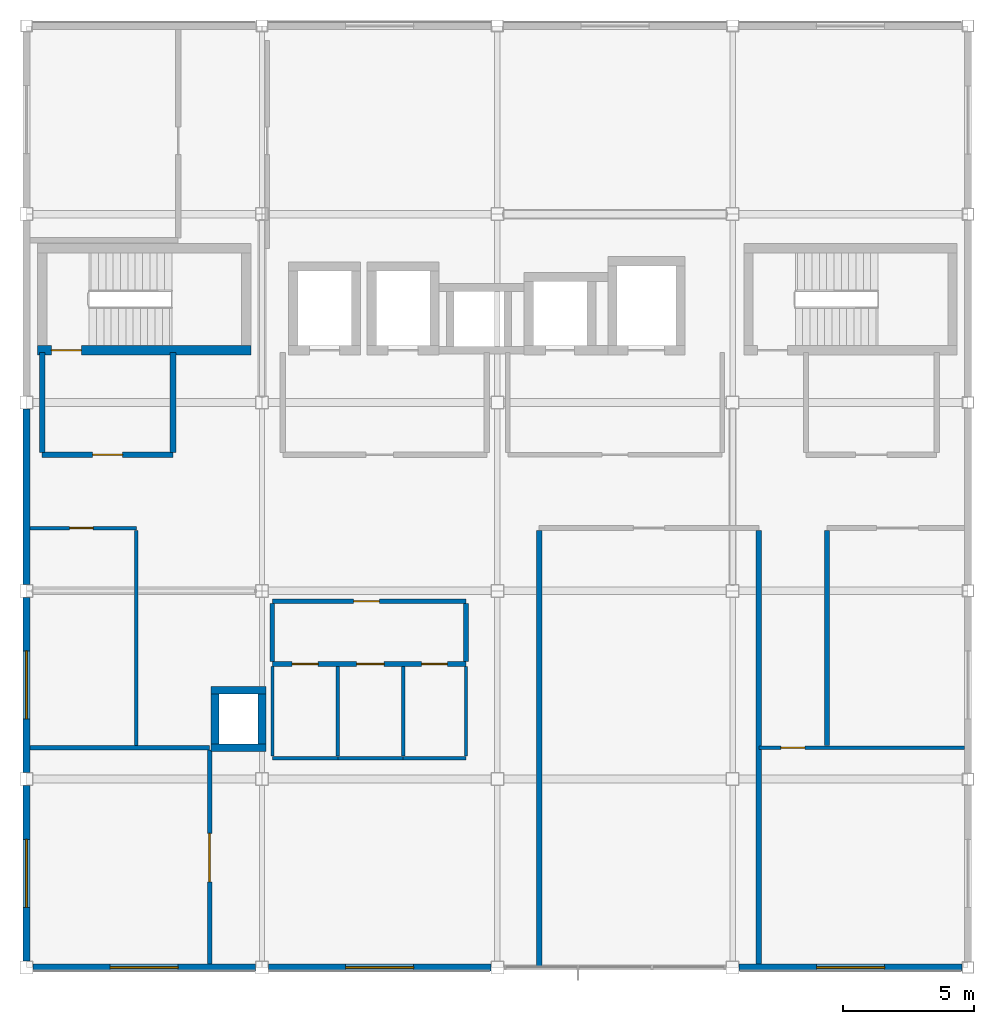
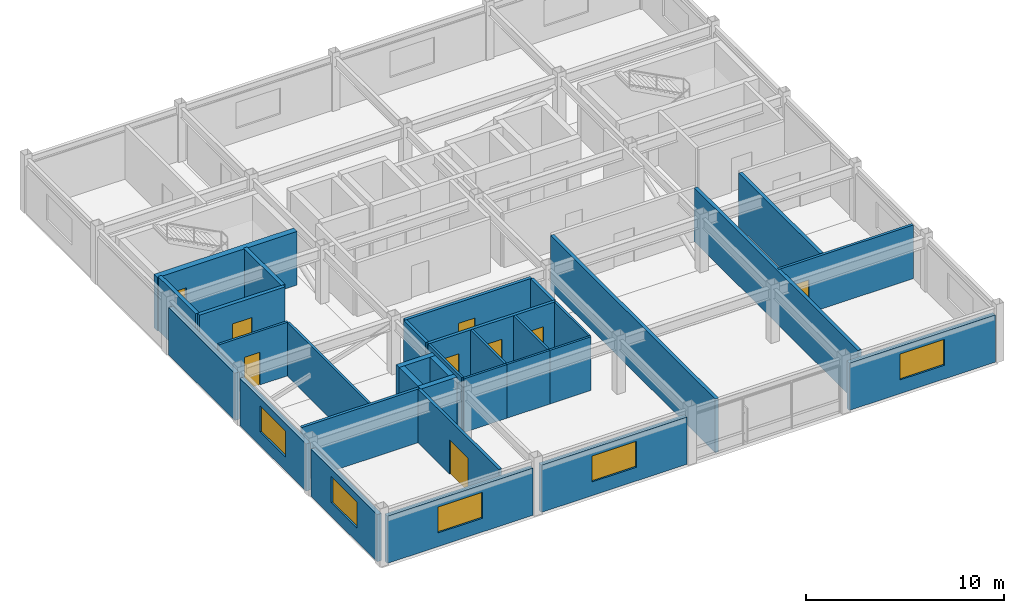
# One storey, part 4 of 7: 33 walls, 9 doors, 5 windows, 14 openings.
"""IFC4 building model written with IfcOpenShell, lengths in metres."""

from ifc_helpers import new_model, si_unit, direction, frame, frame_2d, origin, place, context, subcontext, project, spatial, rectangle, extrude, material, layer, layer_set, type_object, element, fill, save


model = new_model("IFC4")

# Units and contexts
model_context = context("Model", 3, precision=1e-05, world=origin(), true_north=direction((0.0, 1.0)))
body_context = subcontext(model_context, "Body", "Model", "MODEL_VIEW")
ifc_project = project(units=[si_unit("LENGTHUNIT", "METRE"), si_unit("AREAUNIT", "SQUARE_METRE"), si_unit("VOLUMEUNIT", "CUBIC_METRE"), si_unit("PLANEANGLEUNIT", "RADIAN"), si_unit("MASSUNIT", "GRAM", prefix="KILO")], contexts=[model_context])

# Site, building, storey
site_placement = place(None, origin())
site = spatial("IfcSite", under=ifc_project, at=site_placement, CompositionType="ELEMENT")
building_placement = place(site_placement, origin())
building = spatial("IfcBuilding", under=site, at=building_placement, Name="Kazanami Central Library", CompositionType="ELEMENT")
storey_placement = place(building_placement, frame((0.0, 0.0, 27.800048828125)))
storey = spatial("IfcBuildingStorey", under=building, at=storey_placement, Name="L08", CompositionType="ELEMENT", Elevation=27.800048828125)

# Wall, opening, window
ifc_material_1 = material(Name="Concrete Fc36 (36 MPa)", Category="concrete")
ifc_layer_1 = layer(ifc_material_1, 0.179931640625, Name="Concrete Fc36 (36 MPa)")
ifc_material_2 = material(Name="Extruded Polystyrene XPS", Category="earth")
ifc_layer_2 = layer(ifc_material_2, 0.050048828125, Name="Extruded Polystyrene XPS")
ifc_material_3 = material(Name="Honed Inada Granite", Category="masonry")
ifc_layer_3 = layer(ifc_material_3, 0.030029296875, Name="Honed Inada Granite")
ifc_layer_set_1 = layer_set([ifc_layer_1, ifc_layer_2, ifc_layer_3], Name="Concrete Fc36 (36 MPa)")
wall_type_1 = type_object("IfcWallType", Name="WAL-EW-260", PredefinedType="STANDARD", material=ifc_layer_set_1)
wall_1_placement = place(storey_placement, frame((126.25, 57.60009765625, 0.0), z_axis=(0.0, 0.0, 1.0), x_axis=(1.0, 0.0, 0.0)))
wall_1 = element("IfcWall", 1, at=wall_1_placement, inside=storey, type_object=wall_type_1, Name="Exterior Facade Wall EW-260 L08 S-J-14", PredefinedType="STANDARD", context=body_context, shape_type="SweptSolid", body=[
    extrude(rectangle(XDim=8.5, YDim=0.260009765625, at=frame_2d((4.25, 0.0))), origin(), (0.0, 0.0, 1.0), 2.9150390625),
])
opening_1_placement = place(wall_1_placement, frame((2.949951171875, 0.0, 0.85009765625)))
opening_1 = element("IfcOpeningElement", 2, at=opening_1_placement, cuts=wall_1, Name="Opening WN-13", PredefinedType="OPENING", context=body_context, shape_type="SweptSolid", body=[
    extrude(rectangle(XDim=2.60009765625, YDim=1.60009765625, at=frame_2d((1.300048828125, 0.800048828125))), frame((0.0, 0.14208984375, 0.0), z_axis=(0.0, -1.0, 0.0), x_axis=(1.0, 0.0, 0.0)), (0.0, 0.0, 1.0), 0.283935546875),
])
ifc_material_4 = material(Name="Low-E Insulated Triple Glass", Category="glass")
window_type = type_object("IfcWindowType", Name="WIN-WN-13", PartitioningType="DOUBLE_PANEL_VERTICAL", PredefinedType="WINDOW", material=ifc_material_4)
window_1_placement = place(opening_1_placement, origin())
window_1 = element("IfcWindow", 3, at=window_1_placement, inside=storey, type_object=window_type, Name="Facade Window WN-13 L08 S-J-14", OverallHeight=1.60009765625, OverallWidth=2.60009765625, PartitioningType="DOUBLE_PANEL_VERTICAL", PredefinedType="WINDOW", context=body_context, shape_type="SweptSolid", body=[
    extrude(rectangle(XDim=2.60009765625, YDim=1.60009765625, at=frame_2d((1.300048828125, 0.800048828125))), frame((0.0, 0.030029296875, 0.0), z_axis=(0.0, -1.0, 0.0), x_axis=(1.0, 0.0, 0.0)), (0.0, 0.0, 1.0), 0.06005859375),
])
fill(opening_1, window_1)

wall_2_placement = place(storey_placement, frame((135.25, 57.60009765625, 0.0), z_axis=(0.0, 0.0, 1.0), x_axis=(1.0, 0.0, 0.0)))
wall_2 = element("IfcWall", 4, at=wall_2_placement, inside=storey, type_object=wall_type_1, Name="Exterior Facade Wall EW-260 L08 S-J-15", PredefinedType="STANDARD", context=body_context, shape_type="SweptSolid", body=[
    extrude(rectangle(XDim=8.5, YDim=0.260009765625, at=frame_2d((4.25, 0.0))), origin(), (0.0, 0.0, 1.0), 2.9150390625),
])
opening_2_placement = place(wall_2_placement, frame((2.949951171875, 0.0, 0.85009765625)))
opening_2 = element("IfcOpeningElement", 5, at=opening_2_placement, cuts=wall_2, Name="Opening WN-13", PredefinedType="OPENING", context=body_context, shape_type="SweptSolid", body=[
    extrude(rectangle(XDim=2.60009765625, YDim=1.60009765625, at=frame_2d((1.300048828125, 0.800048828125))), frame((0.0, 0.14208984375, 0.0), z_axis=(0.0, -1.0, 0.0), x_axis=(1.0, 0.0, 0.0)), (0.0, 0.0, 1.0), 0.283935546875),
])
window_2_placement = place(opening_2_placement, origin())
window_2 = element("IfcWindow", 6, at=window_2_placement, inside=storey, type_object=window_type, Name="Facade Window WN-13 L08 S-J-15", OverallHeight=1.60009765625, OverallWidth=2.60009765625, PartitioningType="DOUBLE_PANEL_VERTICAL", PredefinedType="WINDOW", context=body_context, shape_type="SweptSolid", body=[
    extrude(rectangle(XDim=2.60009765625, YDim=1.60009765625, at=frame_2d((1.300048828125, 0.800048828125))), frame((0.0, 0.030029296875, 0.0), z_axis=(0.0, -1.0, 0.0), x_axis=(1.0, 0.0, 0.0)), (0.0, 0.0, 1.0), 0.06005859375),
])
fill(opening_2, window_2)

wall_3_placement = place(storey_placement, frame((153.25, 57.60009765625, 0.0), z_axis=(0.0, 0.0, 1.0), x_axis=(1.0, 0.0, 0.0)))
wall_3 = element("IfcWall", 7, at=wall_3_placement, inside=storey, type_object=wall_type_1, Name="Exterior Facade Wall EW-260 L08 S-J-17", PredefinedType="STANDARD", context=body_context, shape_type="SweptSolid", body=[
    extrude(rectangle(XDim=8.52490234375, YDim=0.260009765625, at=frame_2d((4.262451171875, 0.0))), origin(), (0.0, 0.0, 1.0), 2.9150390625),
])
opening_3_placement = place(wall_3_placement, frame((2.96240234375, 0.0, 0.85009765625)))
opening_3 = element("IfcOpeningElement", 8, at=opening_3_placement, cuts=wall_3, Name="Opening WN-13", PredefinedType="OPENING", context=body_context, shape_type="SweptSolid", body=[
    extrude(rectangle(XDim=2.60009765625, YDim=1.60009765625, at=frame_2d((1.300048828125, 0.800048828125))), frame((0.0, 0.14208984375, 0.0), z_axis=(0.0, -1.0, 0.0), x_axis=(1.0, 0.0, 0.0)), (0.0, 0.0, 1.0), 0.283935546875),
])
window_3_placement = place(opening_3_placement, origin())
window_3 = element("IfcWindow", 9, at=window_3_placement, inside=storey, type_object=window_type, Name="Facade Window WN-13 L08 S-J-17", OverallHeight=1.60009765625, OverallWidth=2.60009765625, PartitioningType="DOUBLE_PANEL_VERTICAL", PredefinedType="WINDOW", context=body_context, shape_type="SweptSolid", body=[
    extrude(rectangle(XDim=2.60009765625, YDim=1.60009765625, at=frame_2d((1.300048828125, 0.800048828125))), frame((0.0, 0.030029296875, 0.0), z_axis=(0.0, -1.0, 0.0), x_axis=(1.0, 0.0, 0.0)), (0.0, 0.0, 1.0), 0.06005859375),
])
fill(opening_3, window_3)

wall_4_placement = place(storey_placement, frame((126.0, 57.85009765625, 0.0), z_axis=(0.0, 0.0, 1.0), x_axis=(0.0, 1.0, 0.0)))
wall_4 = element("IfcWall", 10, at=wall_4_placement, inside=storey, type_object=wall_type_1, Name="Exterior Facade Wall EW-260 L08 W-15-08", PredefinedType="STANDARD", context=body_context, shape_type="SweptSolid", body=[
    extrude(rectangle(XDim=6.699951171875, YDim=0.260009765625, at=frame_2d((3.35009765625, 0.0))), origin(), (0.0, 0.0, 1.0), 2.9150390625),
])
opening_4_placement = place(wall_4_placement, frame((2.050048828125, 0.0, 0.85009765625)))
opening_4 = element("IfcOpeningElement", 11, at=opening_4_placement, cuts=wall_4, Name="Opening WN-13", PredefinedType="OPENING", context=body_context, shape_type="SweptSolid", body=[
    extrude(rectangle(XDim=2.60009765625, YDim=1.60009765625, at=frame_2d((1.300048828125, 0.800048828125))), frame((0.0, 0.14208984375, 0.0), z_axis=(0.0, -1.0, 0.0), x_axis=(1.0, 0.0, 0.0)), (0.0, 0.0, 1.0), 0.283935546875),
])
window_4_placement = place(opening_4_placement, origin())
window_4 = element("IfcWindow", 12, at=window_4_placement, inside=storey, type_object=window_type, Name="Facade Window WN-13 L08 W-15-08", OverallHeight=1.60009765625, OverallWidth=2.60009765625, PartitioningType="DOUBLE_PANEL_VERTICAL", PredefinedType="WINDOW", context=body_context, shape_type="SweptSolid", body=[
    extrude(rectangle(XDim=2.60009765625, YDim=1.60009765625, at=frame_2d((1.300048828125, 0.800048828125))), frame((0.0, 0.030029296875, 0.0), z_axis=(0.0, -1.0, 0.0), x_axis=(1.0, 0.0, 0.0)), (0.0, 0.0, 1.0), 0.06005859375),
])
fill(opening_4, window_4)

wall_5_placement = place(storey_placement, frame((126.0, 65.050048828125, 0.0), z_axis=(0.0, 0.0, 1.0), x_axis=(0.0, 1.0, 0.0)))
wall_5 = element("IfcWall", 13, at=wall_5_placement, inside=storey, type_object=wall_type_1, Name="Exterior Facade Wall EW-260 L08 W-15-09", PredefinedType="STANDARD", context=body_context, shape_type="SweptSolid", body=[
    extrude(rectangle(XDim=6.699951171875, YDim=0.260009765625, at=frame_2d((3.35009765625, 0.0))), origin(), (0.0, 0.0, 1.0), 2.9150390625),
])
opening_5_placement = place(wall_5_placement, frame((2.050048828125, 0.0, 0.85009765625)))
opening_5 = element("IfcOpeningElement", 14, at=opening_5_placement, cuts=wall_5, Name="Opening WN-13", PredefinedType="OPENING", context=body_context, shape_type="SweptSolid", body=[
    extrude(rectangle(XDim=2.60009765625, YDim=1.60009765625, at=frame_2d((1.300048828125, 0.800048828125))), frame((0.0, 0.14208984375, 0.0), z_axis=(0.0, -1.0, 0.0), x_axis=(1.0, 0.0, 0.0)), (0.0, 0.0, 1.0), 0.283935546875),
])
window_5_placement = place(opening_5_placement, origin())
window_5 = element("IfcWindow", 15, at=window_5_placement, inside=storey, type_object=window_type, Name="Facade Window WN-13 L08 W-15-09", OverallHeight=1.60009765625, OverallWidth=2.60009765625, PartitioningType="DOUBLE_PANEL_VERTICAL", PredefinedType="WINDOW", context=body_context, shape_type="SweptSolid", body=[
    extrude(rectangle(XDim=2.60009765625, YDim=1.60009765625, at=frame_2d((1.300048828125, 0.800048828125))), frame((0.0, 0.030029296875, 0.0), z_axis=(0.0, -1.0, 0.0), x_axis=(1.0, 0.0, 0.0)), (0.0, 0.0, 1.0), 0.06005859375),
])
fill(opening_5, window_5)

# Walls
wall_6_placement = place(storey_placement, frame((126.0, 72.25, 0.0), z_axis=(0.0, 0.0, 1.0), x_axis=(0.0, 1.0, 0.0)))
element("IfcWall", 16, at=wall_6_placement, inside=storey, type_object=wall_type_1, Name="Exterior Facade Wall EW-260 L08 W-15-10", PredefinedType="STANDARD", context=body_context, shape_type="SweptSolid", body=[
    extrude(rectangle(XDim=6.699951171875, YDim=0.260009765625, at=frame_2d((3.35009765625, 0.0))), origin(), (0.0, 0.0, 1.0), 2.9150390625),
])
ifc_material_5 = material(Name="Fire-Resistant Gypsum Board GB-F", Category="gypsum")
ifc_layer_4 = layer(ifc_material_5, 0.1650390625, Name="Fire-Resistant Gypsum Board GB-F")
ifc_layer_set_2 = layer_set([ifc_layer_4], Name="Fire-Resistant Gypsum Board GB-F")
wall_type_2 = type_object("IfcWallType", Name="WAL-FW-165", PredefinedType="PARTITIONING", material=ifc_layer_set_2)
wall_7_placement = place(storey_placement, frame((126.135009765625, 66.0, 0.0), z_axis=(0.0, 0.0, 1.0), x_axis=(1.0, 0.0, 0.0)))
element("IfcWall", 17, at=wall_7_placement, inside=storey, type_object=wall_type_2, Name="Interior Partition FW-165 L08 RM-06 (North)", PredefinedType="PARTITIONING", context=body_context, shape_type="SweptSolid", body=[
    extrude(rectangle(XDim=6.864990234375, YDim=0.1650390625, at=frame_2d((3.4326171875, 0.0))), origin(), (0.0, 0.0, 1.0), 3.31494140625),
])

# Wall, opening, door
wall_8_placement = place(storey_placement, frame((133.0, 57.735107421875, 0.0), z_axis=(0.0, 0.0, 1.0), x_axis=(0.0, 1.0, 0.0)))
wall_8 = element("IfcWall", 18, at=wall_8_placement, inside=storey, type_object=wall_type_2, Name="Interior Partition FW-165 L08 RM-06 (East)", PredefinedType="PARTITIONING", context=body_context, shape_type="SweptSolid", body=[
    extrude(rectangle(XDim=8.1748046875, YDim=0.1650390625, at=frame_2d((4.08740234375, 0.0))), origin(), (0.0, 0.0, 1.0), 3.31494140625),
])
opening_6_placement = place(wall_8_placement, frame((3.139892578125, 0.0, 0.0)))
opening_6 = element("IfcOpeningElement", 19, at=opening_6_placement, cuts=wall_8, Name="Opening FD30-5", PredefinedType="OPENING", context=body_context, shape_type="SweptSolid", body=[
    extrude(rectangle(XDim=1.85009765625, YDim=2.1201171875, at=frame_2d((0.925048828125, 1.06005859375))), frame((0.0, 0.094482421875, 0.0), z_axis=(0.0, -1.0, 0.0), x_axis=(1.0, 0.0, 0.0)), (0.0, 0.0, 1.0), 0.18896484375),
])
ifc_material_6 = material(Name="Cold-Rolled Steel SPCC", Category="steel")
door_type_1 = type_object("IfcDoorType", Name="DOR-FD30-5", OperationType="DOUBLE_DOOR_SINGLE_SWING", PredefinedType="DOOR", material=ifc_material_6)
door_1_placement = place(opening_6_placement, origin())
door_1 = element("IfcDoor", 20, at=door_1_placement, inside=storey, type_object=door_type_1, Name="Interior Door FD30-5 L08 RM-06", OperationType="DOUBLE_DOOR_SINGLE_SWING", OverallHeight=2.1201171875, OverallWidth=1.85009765625, PredefinedType="DOOR", context=body_context, shape_type="SweptSolid", body=[
    extrude(rectangle(XDim=1.85009765625, YDim=2.1201171875, at=frame_2d((0.925048828125, 1.06005859375))), frame((0.0, 0.02490234375, 0.0), z_axis=(0.0, -1.0, 0.0), x_axis=(1.0, 0.0, 0.0)), (0.0, 0.0, 1.0), 0.050048828125),
])
fill(opening_6, door_1)

# Wall, openings, doors
ifc_layer_5 = layer(ifc_material_5, 0.179931640625, Name="Fire-Resistant Gypsum Board GB-F")
ifc_layer_set_3 = layer_set([ifc_layer_5], Name="Fire-Resistant Gypsum Board GB-F")
wall_type_3 = type_object("IfcWallType", Name="WAL-FW-180", PredefinedType="PARTITIONING", material=ifc_layer_set_3)
wall_9_placement = place(storey_placement, frame((135.39990234375, 69.199951171875, 0.0), z_axis=(0.0, 0.0, 1.0), x_axis=(1.0, 0.0, 0.0)))
wall_9 = element("IfcWall", 21, at=wall_9_placement, inside=storey, type_object=wall_type_3, Name="Interior Partition FW-180 L08 WC-V2-LOB (South)", PredefinedType="PARTITIONING", context=body_context, shape_type="SweptSolid", body=[
    extrude(rectangle(XDim=7.400146484375, YDim=0.179931640625, at=frame_2d((3.7001953125, 0.0))), origin(), (0.0, 0.0, 1.0), 3.31494140625),
])
opening_7_placement = place(wall_9_placement, frame((0.75, 0.0, 0.0)))
opening_7 = element("IfcOpeningElement", 22, at=opening_7_placement, cuts=wall_9, Name="Opening FD30-2", PredefinedType="OPENING", context=body_context, shape_type="SweptSolid", body=[
    extrude(rectangle(XDim=1.0, YDim=2.080078125, at=frame_2d((0.5, 1.0400390625))), frame((0.0, 0.10205078125, 0.0), z_axis=(0.0, -1.0, 0.0), x_axis=(1.0, 0.0, 0.0)), (0.0, 0.0, 1.0), 0.203857421875),
])
opening_8_placement = place(wall_9_placement, frame((3.22509765625, 0.0, 0.0)))
opening_8 = element("IfcOpeningElement", 23, at=opening_8_placement, cuts=wall_9, Name="Opening FD30-1", PredefinedType="OPENING", context=body_context, shape_type="SweptSolid", body=[
    extrude(rectangle(XDim=1.050048828125, YDim=2.10009765625, at=frame_2d((0.52490234375, 1.050048828125))), frame((0.0, 0.10205078125, 0.0), z_axis=(0.0, -1.0, 0.0), x_axis=(1.0, 0.0, 0.0)), (0.0, 0.0, 1.0), 0.203857421875),
])
opening_9_placement = place(wall_9_placement, frame((5.7099609375, 0.0, 0.0)))
opening_9 = element("IfcOpeningElement", 24, at=opening_9_placement, cuts=wall_9, Name="Opening FD30-3", PredefinedType="OPENING", context=body_context, shape_type="SweptSolid", body=[
    extrude(rectangle(XDim=0.97998046875, YDim=2.02001953125, at=frame_2d((0.489990234375, 1.010009765625))), frame((0.0, 0.10205078125, 0.0), z_axis=(0.0, -1.0, 0.0), x_axis=(1.0, 0.0, 0.0)), (0.0, 0.0, 1.0), 0.203857421875),
])
door_type_2 = type_object("IfcDoorType", Name="DOR-FD30-1", OperationType="NOTDEFINED", PredefinedType="DOOR", material=ifc_material_6)
door_2_placement = place(opening_8_placement, origin())
door_2 = element("IfcDoor", 25, at=door_2_placement, inside=storey, type_object=door_type_2, Name="Interior Door FD30-1 L08 WC-V2-F", OperationType="SINGLE_SWING_LEFT", OverallHeight=2.10009765625, OverallWidth=1.050048828125, PredefinedType="DOOR", context=body_context, shape_type="SweptSolid", body=[
    extrude(rectangle(XDim=1.050048828125, YDim=2.10009765625, at=frame_2d((0.52490234375, 1.050048828125))), frame((0.0, 0.02490234375, 0.0), z_axis=(0.0, -1.0, 0.0), x_axis=(1.0, 0.0, 0.0)), (0.0, 0.0, 1.0), 0.050048828125),
])
fill(opening_8, door_2)
door_type_3 = type_object("IfcDoorType", Name="DOR-FD30-2", OperationType="NOTDEFINED", PredefinedType="DOOR", material=ifc_material_6)
door_3_placement = place(opening_7_placement, origin())
door_3 = element("IfcDoor", 26, at=door_3_placement, inside=storey, type_object=door_type_3, Name="Interior Door FD30-2 L08 WC-V2-M", OperationType="SINGLE_SWING_RIGHT", OverallHeight=2.080078125, OverallWidth=1.0, PredefinedType="DOOR", context=body_context, shape_type="SweptSolid", body=[
    extrude(rectangle(XDim=1.0, YDim=2.080078125, at=frame_2d((0.5, 1.0400390625))), frame((0.0, 0.02490234375, 0.0), z_axis=(0.0, -1.0, 0.0), x_axis=(1.0, 0.0, 0.0)), (0.0, 0.0, 1.0), 0.050048828125),
])
fill(opening_7, door_3)
door_type_4 = type_object("IfcDoorType", Name="DOR-FD30-3", OperationType="NOTDEFINED", PredefinedType="DOOR", material=ifc_material_6)
door_4_placement = place(opening_9_placement, origin())
door_4 = element("IfcDoor", 27, at=door_4_placement, inside=storey, type_object=door_type_4, Name="Interior Door FD30-3 L08 WC-V2-ACC", OperationType="SINGLE_SWING_RIGHT", OverallHeight=2.02001953125, OverallWidth=0.97998046875, PredefinedType="DOOR", context=body_context, shape_type="SweptSolid", body=[
    extrude(rectangle(XDim=0.97998046875, YDim=2.02001953125, at=frame_2d((0.489990234375, 1.010009765625))), frame((0.0, 0.02490234375, 0.0), z_axis=(0.0, -1.0, 0.0), x_axis=(1.0, 0.0, 0.0)), (0.0, 0.0, 1.0), 0.050048828125),
])
fill(opening_9, door_4)

# Wall, opening, door
wall_10_placement = place(storey_placement, frame((135.39990234375, 71.60009765625, 0.0), z_axis=(0.0, 0.0, 1.0), x_axis=(1.0, 0.0, 0.0)))
wall_10 = element("IfcWall", 28, at=wall_10_placement, inside=storey, type_object=wall_type_3, Name="Interior Partition FW-180 L08 WC-V2-LOB (North)", PredefinedType="PARTITIONING", context=body_context, shape_type="SweptSolid", body=[
    extrude(rectangle(XDim=7.400146484375, YDim=0.179931640625, at=frame_2d((3.7001953125, 0.0))), origin(), (0.0, 0.0, 1.0), 3.31494140625),
])
opening_10_placement = place(wall_10_placement, frame((3.110107421875, 0.0, 0.0)))
opening_10 = element("IfcOpeningElement", 29, at=opening_10_placement, cuts=wall_10, Name="Opening FD30-3", PredefinedType="OPENING", context=body_context, shape_type="SweptSolid", body=[
    extrude(rectangle(XDim=0.97998046875, YDim=2.02001953125, at=frame_2d((0.489990234375, 1.010009765625))), frame((0.0, 0.10205078125, 0.0), z_axis=(0.0, -1.0, 0.0), x_axis=(1.0, 0.0, 0.0)), (0.0, 0.0, 1.0), 0.203857421875),
])
door_5_placement = place(opening_10_placement, origin())
door_5 = element("IfcDoor", 30, at=door_5_placement, inside=storey, type_object=door_type_4, Name="Interior Door FD30-3 L08 WC-V2-LOB", OperationType="SINGLE_SWING_LEFT", OverallHeight=2.02001953125, OverallWidth=0.97998046875, PredefinedType="DOOR", context=body_context, shape_type="SweptSolid", body=[
    extrude(rectangle(XDim=0.97998046875, YDim=2.02001953125, at=frame_2d((0.489990234375, 1.010009765625))), frame((0.0, 0.02490234375, 0.0), z_axis=(0.0, -1.0, 0.0), x_axis=(1.0, 0.0, 0.0)), (0.0, 0.0, 1.0), 0.050048828125),
])
fill(opening_10, door_5)

# Walls
for number, where, z_axis, x_axis, name in (
    (31, (135.39990234375, 69.2900390625, 0.0), (0.0, 0.0, 1.0), (0.0, 1.0, 0.0), "Interior Partition FW-180 L08 WC-V2-LOB (West)"),
    (32, (142.800048828125, 69.2900390625, 0.0), (0.0, 0.0, 1.0), (0.0, 1.0, 0.0), "Interior Partition FW-180 L08 WC-V2-LOB (East)"),
):
    element("IfcWall", number, at=place(storey_placement, frame(where, z_axis=z_axis, x_axis=x_axis)), inside=storey, type_object=wall_type_3, Name=name, PredefinedType="PARTITIONING", context=body_context, shape_type="SweptSolid", body=[
        extrude(rectangle(XDim=2.219970703125, YDim=0.179931640625, at=frame_2d((1.10986328125, 0.0))), origin(), (0.0, 0.0, 1.0), 3.31494140625),
    ])
ifc_layer_6 = layer(ifc_material_5, 0.199951171875, Name="Fire-Resistant Gypsum Board GB-F")
ifc_layer_set_4 = layer_set([ifc_layer_6], Name="Fire-Resistant Gypsum Board GB-F")
wall_type_4 = type_object("IfcWallType", Name="WAL-FW-200", PredefinedType="PARTITIONING", material=ifc_layer_set_4)
wall_11_placement = place(storey_placement, frame((145.60009765625, 57.635009765625, 0.0), z_axis=(0.0, 0.0, 1.0), x_axis=(0.0, 1.0, 0.0)))
element("IfcWall", 33, at=wall_11_placement, inside=storey, type_object=wall_type_4, Name="Interior Partition FW-200 L08 RM-09 (West)", PredefinedType="PARTITIONING", context=body_context, shape_type="SweptSolid", body=[
    extrude(rectangle(XDim=16.675048828125, YDim=0.199951171875, at=frame_2d((8.33740234375, 0.0))), origin(), (0.0, 0.0, 1.0), 3.31494140625),
])
wall_12_placement = place(storey_placement, frame((154.0, 57.735107421875, 0.0), z_axis=(0.0, 0.0, 1.0), x_axis=(0.0, 1.0, 0.0)))
element("IfcWall", 34, at=wall_12_placement, inside=storey, type_object=wall_type_4, Name="Interior Partition FW-200 L08 RM-09 (East)", PredefinedType="PARTITIONING", context=body_context, shape_type="SweptSolid", body=[
    extrude(rectangle(XDim=16.574951171875, YDim=0.199951171875, at=frame_2d((8.28759765625, 0.0))), origin(), (0.0, 0.0, 1.0), 3.31494140625),
])
wall_13_placement = place(storey_placement, frame((156.60009765625, 66.090087890625, 0.0), z_axis=(0.0, 0.0, 1.0), x_axis=(0.0, 1.0, 0.0)))
element("IfcWall", 35, at=wall_13_placement, inside=storey, type_object=wall_type_4, Name="Interior Partition FW-200 L08 RM-12 (West)", PredefinedType="PARTITIONING", context=body_context, shape_type="SweptSolid", body=[
    extrude(rectangle(XDim=8.219970703125, YDim=0.199951171875, at=frame_2d((4.10986328125, 0.0))), origin(), (0.0, 0.0, 1.0), 3.31494140625),
])

# Wall, opening, door
ifc_layer_7 = layer(ifc_material_5, 0.219970703125, Name="Fire-Resistant Gypsum Board GB-F")
ifc_layer_set_5 = layer_set([ifc_layer_7], Name="Fire-Resistant Gypsum Board GB-F")
wall_type_5 = type_object("IfcWallType", Name="WAL-FW-220", PredefinedType="PARTITIONING", material=ifc_layer_set_5)
wall_14_placement = place(storey_placement, frame((126.60009765625, 77.199951171875, 0.0), z_axis=(0.0, 0.0, 1.0), x_axis=(1.0, 0.0, 0.0)))
wall_14 = element("IfcWall", 36, at=wall_14_placement, inside=storey, type_object=wall_type_5, Name="Interior Partition FW-220 L08 VEST-ST-01 (South)", PredefinedType="PARTITIONING", context=body_context, shape_type="SweptSolid", body=[
    extrude(rectangle(XDim=5.0, YDim=0.219970703125, at=frame_2d((2.5, 0.0))), origin(), (0.0, 0.0, 1.0), 3.31494140625),
])
opening_11_placement = place(wall_14_placement, frame((1.925048828125, 0.0, 0.0)))
opening_11 = element("IfcOpeningElement", 37, at=opening_11_placement, cuts=wall_14, Name="Opening FD60-2", PredefinedType="OPENING", context=body_context, shape_type="SweptSolid", body=[
    extrude(rectangle(XDim=1.14990234375, YDim=2.10009765625, at=frame_2d((0.574951171875, 1.050048828125))), frame((0.0, 0.1220703125, 0.0), z_axis=(0.0, -1.0, 0.0), x_axis=(1.0, 0.0, 0.0)), (0.0, 0.0, 1.0), 0.243896484375),
])
door_type_5 = type_object("IfcDoorType", Name="DOR-FD60-2", OperationType="NOTDEFINED", PredefinedType="DOOR", material=ifc_material_6)
door_6_placement = place(opening_11_placement, origin())
door_6 = element("IfcDoor", 38, at=door_6_placement, inside=storey, type_object=door_type_5, Name="Interior Door FD60-2 L08 VEST-ST-01", OperationType="SINGLE_SWING_LEFT", OverallHeight=2.10009765625, OverallWidth=1.14990234375, PredefinedType="DOOR", context=body_context, shape_type="SweptSolid", body=[
    extrude(rectangle(XDim=1.14990234375, YDim=2.10009765625, at=frame_2d((0.574951171875, 1.050048828125))), frame((0.0, 0.02490234375, 0.0), z_axis=(0.0, -1.0, 0.0), x_axis=(1.0, 0.0, 0.0)), (0.0, 0.0, 1.0), 0.050048828125),
])
fill(opening_11, door_6)

# Walls
for number, where, z_axis, x_axis, name in (
    (39, (126.60009765625, 77.2900390625, 0.0), (0.0, 0.0, 1.0), (0.0, 1.0, 0.0), "Interior Partition FW-220 L08 VEST-ST-01 (West)"),
    (40, (131.60009765625, 77.2900390625, 0.0), (0.0, 0.0, 1.0), (0.0, 1.0, 0.0), "Interior Partition FW-220 L08 VEST-ST-01 (East)"),
):
    element("IfcWall", number, at=place(storey_placement, frame(where, z_axis=z_axis, x_axis=x_axis)), inside=storey, type_object=wall_type_5, Name=name, PredefinedType="PARTITIONING", context=body_context, shape_type="SweptSolid", body=[
        extrude(rectangle(XDim=3.820068359375, YDim=0.219970703125, at=frame_2d((1.91015625, 0.0))), origin(), (0.0, 0.0, 1.0), 3.31494140625),
    ])
ifc_material_7 = material(Name="Gypsum Plasterboard GB-R", Category="gypsum")
ifc_layer_8 = layer(ifc_material_7, 0.125, Name="Gypsum Plasterboard GB-R")
ifc_layer_set_6 = layer_set([ifc_layer_8], Name="Gypsum Plasterboard GB-R")
wall_type_6 = type_object("IfcWallType", Name="WAL-PW-125", PredefinedType="PARTITIONING", material=ifc_layer_set_6)
wall_15_placement = place(storey_placement, frame((135.39990234375, 65.60009765625, 0.0), z_axis=(0.0, 0.0, 1.0), x_axis=(1.0, 0.0, 0.0)))
element("IfcWall", 41, at=wall_15_placement, inside=storey, type_object=wall_type_6, Name="Interior Partition PW-125 L08 WC-V2-M (South)", PredefinedType="PARTITIONING", context=body_context, shape_type="SweptSolid", body=[
    extrude(rectangle(XDim=2.5, YDim=0.125, at=frame_2d((1.25, 0.0))), origin(), (0.0, 0.0, 1.0), 3.31494140625),
])
for number, where, z_axis, x_axis, name in (
    (42, (135.39990234375, 65.68994140625, 0.0), (0.0, 0.0, 1.0), (0.0, 1.0, 0.0), "Interior Partition PW-125 L08 WC-V2-M (West)"),
    (43, (137.89990234375, 65.68994140625, 0.0), (0.0, 0.0, 1.0), (0.0, 1.0, 0.0), "Interior Partition PW-125 L08 WC-V2-M (East)"),
):
    element("IfcWall", number, at=place(storey_placement, frame(where, z_axis=z_axis, x_axis=x_axis)), inside=storey, type_object=wall_type_6, Name=name, PredefinedType="PARTITIONING", context=body_context, shape_type="SweptSolid", body=[
        extrude(rectangle(XDim=3.420166015625, YDim=0.125, at=frame_2d((1.7099609375, 0.0))), origin(), (0.0, 0.0, 1.0), 3.31494140625),
    ])
wall_16_placement = place(storey_placement, frame((137.89990234375, 65.60009765625, 0.0), z_axis=(0.0, 0.0, 1.0), x_axis=(1.0, 0.0, 0.0)))
element("IfcWall", 44, at=wall_16_placement, inside=storey, type_object=wall_type_6, Name="Interior Partition PW-125 L08 WC-V2-F (South)", PredefinedType="PARTITIONING", context=body_context, shape_type="SweptSolid", body=[
    extrude(rectangle(XDim=2.5, YDim=0.125, at=frame_2d((1.25, 0.0))), origin(), (0.0, 0.0, 1.0), 3.31494140625),
])
wall_17_placement = place(storey_placement, frame((140.39990234375, 65.68994140625, 0.0), z_axis=(0.0, 0.0, 1.0), x_axis=(0.0, 1.0, 0.0)))
element("IfcWall", 45, at=wall_17_placement, inside=storey, type_object=wall_type_6, Name="Interior Partition PW-125 L08 WC-V2-F (East)", PredefinedType="PARTITIONING", context=body_context, shape_type="SweptSolid", body=[
    extrude(rectangle(XDim=3.420166015625, YDim=0.125, at=frame_2d((1.7099609375, 0.0))), origin(), (0.0, 0.0, 1.0), 3.31494140625),
])
wall_18_placement = place(storey_placement, frame((140.39990234375, 65.60009765625, 0.0), z_axis=(0.0, 0.0, 1.0), x_axis=(1.0, 0.0, 0.0)))
element("IfcWall", 46, at=wall_18_placement, inside=storey, type_object=wall_type_6, Name="Interior Partition PW-125 L08 WC-V2-ACC (South)", PredefinedType="PARTITIONING", context=body_context, shape_type="SweptSolid", body=[
    extrude(rectangle(XDim=2.400146484375, YDim=0.125, at=frame_2d((1.2001953125, 0.0))), origin(), (0.0, 0.0, 1.0), 3.31494140625),
])
wall_19_placement = place(storey_placement, frame((142.800048828125, 65.68994140625, 0.0), z_axis=(0.0, 0.0, 1.0), x_axis=(0.0, 1.0, 0.0)))
element("IfcWall", 47, at=wall_19_placement, inside=storey, type_object=wall_type_6, Name="Interior Partition PW-125 L08 WC-V2-ACC (East)", PredefinedType="PARTITIONING", context=body_context, shape_type="SweptSolid", body=[
    extrude(rectangle(XDim=3.420166015625, YDim=0.125, at=frame_2d((1.7099609375, 0.0))), origin(), (0.0, 0.0, 1.0), 3.31494140625),
])

# Wall, opening, door
ifc_layer_9 = layer(ifc_material_7, 0.135009765625, Name="Gypsum Plasterboard GB-R")
ifc_layer_set_7 = layer_set([ifc_layer_9], Name="Gypsum Plasterboard GB-R")
wall_type_7 = type_object("IfcWallType", Name="WAL-PW-135", PredefinedType="PARTITIONING", material=ifc_layer_set_7)
wall_20_placement = place(storey_placement, frame((126.135009765625, 74.39990234375, 0.0), z_axis=(0.0, 0.0, 1.0), x_axis=(1.0, 0.0, 0.0)))
wall_20 = element("IfcWall", 48, at=wall_20_placement, inside=storey, type_object=wall_type_7, Name="Interior Partition PW-135 L08 RM-08 (North)", PredefinedType="PARTITIONING", context=body_context, shape_type="SweptSolid", body=[
    extrude(rectangle(XDim=4.06494140625, YDim=0.135009765625, at=frame_2d((2.032470703125, 0.0))), origin(), (0.0, 0.0, 1.0), 3.31494140625),
])
opening_12_placement = place(wall_20_placement, frame((1.514892578125, 0.0, 0.0)))
opening_12 = element("IfcOpeningElement", 49, at=opening_12_placement, cuts=wall_20, Name="Opening ID-03", PredefinedType="OPENING", context=body_context, shape_type="SweptSolid", body=[
    extrude(rectangle(XDim=0.89990234375, YDim=2.02001953125, at=frame_2d((0.449951171875, 1.010009765625))), frame((0.0, 0.07958984375, 0.0), z_axis=(0.0, -1.0, 0.0), x_axis=(1.0, 0.0, 0.0)), (0.0, 0.0, 1.0), 0.158935546875),
])
ifc_material_8 = material(Name="White Oak Hardwood", Category="wood")
door_type_6 = type_object("IfcDoorType", Name="DOR-ID-03", OperationType="NOTDEFINED", PredefinedType="DOOR", material=ifc_material_8)
door_7_placement = place(opening_12_placement, origin())
door_7 = element("IfcDoor", 50, at=door_7_placement, inside=storey, type_object=door_type_6, Name="Interior Door ID-03 L08 RM-08", OperationType="SINGLE_SWING_LEFT", OverallHeight=2.02001953125, OverallWidth=0.89990234375, PredefinedType="DOOR", context=body_context, shape_type="SweptSolid", body=[
    extrude(rectangle(XDim=0.89990234375, YDim=2.02001953125, at=frame_2d((0.449951171875, 1.010009765625))), frame((0.0, 0.02490234375, 0.0), z_axis=(0.0, -1.0, 0.0), x_axis=(1.0, 0.0, 0.0)), (0.0, 0.0, 1.0), 0.050048828125),
])
fill(opening_12, door_7)

# Wall
wall_21_placement = place(storey_placement, frame((130.199951171875, 66.090087890625, 0.0), z_axis=(0.0, 0.0, 1.0), x_axis=(0.0, 1.0, 0.0)))
element("IfcWall", 51, at=wall_21_placement, inside=storey, type_object=wall_type_7, Name="Interior Partition PW-135 L08 RM-08 (East)", PredefinedType="PARTITIONING", context=body_context, shape_type="SweptSolid", body=[
    extrude(rectangle(XDim=8.219970703125, YDim=0.135009765625, at=frame_2d((4.10986328125, 0.0))), origin(), (0.0, 0.0, 1.0), 3.31494140625),
])

# Wall, opening, door
ifc_layer_10 = layer(ifc_material_7, 0.14990234375, Name="Gypsum Plasterboard GB-R")
ifc_layer_set_8 = layer_set([ifc_layer_10], Name="Gypsum Plasterboard GB-R")
wall_type_8 = type_object("IfcWallType", Name="WAL-PW-150", PredefinedType="PARTITIONING", material=ifc_layer_set_8)
wall_22_placement = place(storey_placement, frame((154.0, 66.0, 0.0), z_axis=(0.0, 0.0, 1.0), x_axis=(1.0, 0.0, 0.0)))
wall_22 = element("IfcWall", 52, at=wall_22_placement, inside=storey, type_object=wall_type_8, Name="Interior Partition PW-150 L08 RM-11 (North)", PredefinedType="PARTITIONING", context=body_context, shape_type="SweptSolid", body=[
    extrude(rectangle(XDim=7.864990234375, YDim=0.14990234375, at=frame_2d((3.9326171875, 0.0))), origin(), (0.0, 0.0, 1.0), 3.31494140625),
])
opening_13_placement = place(wall_22_placement, frame((0.840087890625, 0.0, 0.0)))
opening_13 = element("IfcOpeningElement", 53, at=opening_13_placement, cuts=wall_22, Name="Opening ID-02", PredefinedType="OPENING", context=body_context, shape_type="SweptSolid", body=[
    extrude(rectangle(XDim=0.919921875, YDim=2.06005859375, at=frame_2d((0.4599609375, 1.030029296875))), frame((0.0, 0.0869140625, 0.0), z_axis=(0.0, -1.0, 0.0), x_axis=(1.0, 0.0, 0.0)), (0.0, 0.0, 1.0), 0.173828125),
])
door_type_7 = type_object("IfcDoorType", Name="DOR-ID-02", OperationType="NOTDEFINED", PredefinedType="DOOR", material=ifc_material_8)
door_8_placement = place(opening_13_placement, origin())
door_8 = element("IfcDoor", 54, at=door_8_placement, inside=storey, type_object=door_type_7, Name="Interior Door ID-02 L08 RM-11", OperationType="SINGLE_SWING_LEFT", OverallHeight=2.06005859375, OverallWidth=0.919921875, PredefinedType="DOOR", context=body_context, shape_type="SweptSolid", body=[
    extrude(rectangle(XDim=0.919921875, YDim=2.06005859375, at=frame_2d((0.4599609375, 1.030029296875))), frame((0.0, 0.02490234375, 0.0), z_axis=(0.0, -1.0, 0.0), x_axis=(1.0, 0.0, 0.0)), (0.0, 0.0, 1.0), 0.050048828125),
])
fill(opening_13, door_8)

# Walls
ifc_layer_11 = layer(ifc_material_1, 0.300048828125, Name="Concrete Fc36 (36 MPa)")
ifc_layer_set_9 = layer_set([ifc_layer_11], Name="Concrete Fc36 (36 MPa)")
wall_type_9 = type_object("IfcWallType", Name="WAL-SW-300", PredefinedType="SHEAR", material=ifc_layer_set_9)
for number, where, z_axis, x_axis, name in (
    (55, (133.050048828125, 66.0, 0.0), (0.0, 0.0, 1.0), (1.0, 0.0, 0.0), "Service Riser Wall RSR-V2-B S L08"),
    (56, (133.050048828125, 68.199951171875, 0.0), (0.0, 0.0, 1.0), (1.0, 0.0, 0.0), "Service Riser Wall RSR-V2-B N L08"),
):
    element("IfcWall", number, at=place(storey_placement, frame(where, z_axis=z_axis, x_axis=x_axis)), inside=storey, type_object=wall_type_9, Name=name, PredefinedType="SHEAR", context=body_context, shape_type="SweptSolid", body=[
        extrude(rectangle(XDim=2.099853515625, YDim=0.300048828125, at=frame_2d((1.0498046875, 0.0))), origin(), (0.0, 0.0, 1.0), 3.31494140625),
    ])
for number, where, z_axis, x_axis, name in (
    (57, (133.199951171875, 66.14990234375, 0.0), (0.0, 0.0, 1.0), (0.0, 1.0, 0.0), "Service Riser Wall RSR-V2-B W L08"),
    (58, (135.0, 66.14990234375, 0.0), (0.0, 0.0, 1.0), (0.0, 1.0, 0.0), "Service Riser Wall RSR-V2-B E L08"),
):
    element("IfcWall", number, at=place(storey_placement, frame(where, z_axis=z_axis, x_axis=x_axis)), inside=storey, type_object=wall_type_9, Name=name, PredefinedType="SHEAR", context=body_context, shape_type="SweptSolid", body=[
        extrude(rectangle(XDim=1.900146484375, YDim=0.300048828125, at=frame_2d((0.9501953125, 0.0))), origin(), (0.0, 0.0, 1.0), 3.31494140625),
    ])

# Wall, opening, door
ifc_layer_12 = layer(ifc_material_1, 0.35009765625, Name="Concrete Fc36 (36 MPa)")
ifc_layer_set_10 = layer_set([ifc_layer_12], Name="Concrete Fc36 (36 MPa)")
wall_type_10 = type_object("IfcWallType", Name="WAL-SW-350", PredefinedType="SHEAR", material=ifc_layer_set_10)
wall_23_placement = place(storey_placement, frame((126.425048828125, 81.199951171875, 0.0), z_axis=(0.0, 0.0, 1.0), x_axis=(1.0, 0.0, 0.0)))
wall_23 = element("IfcWall", 59, at=wall_23_placement, inside=storey, type_object=wall_type_10, Name="Stair Core Wall ST-01 South L08", PredefinedType="SHEAR", context=body_context, shape_type="SweptSolid", body=[
    extrude(rectangle(XDim=8.14990234375, YDim=0.35009765625, at=frame_2d((4.074951171875, 0.0))), origin(), (0.0, 0.0, 1.0), 3.31494140625),
])
opening_14_placement = place(wall_23_placement, frame((0.52490234375, 0.0, 0.0)))
opening_14 = element("IfcOpeningElement", 60, at=opening_14_placement, cuts=wall_23, Name="Opening FD60-2", PredefinedType="OPENING", context=body_context, shape_type="SweptSolid", body=[
    extrude(rectangle(XDim=1.14990234375, YDim=2.10009765625, at=frame_2d((0.574951171875, 1.050048828125))), frame((0.0, 0.18701171875, 0.0), z_axis=(0.0, -1.0, 0.0), x_axis=(1.0, 0.0, 0.0)), (0.0, 0.0, 1.0), 0.3740234375),
])
door_9_placement = place(opening_14_placement, origin())
door_9 = element("IfcDoor", 61, at=door_9_placement, inside=storey, type_object=door_type_5, Name="Escape Stair ST-01 Fire Door L08", OperationType="SINGLE_SWING_LEFT", OverallHeight=2.10009765625, OverallWidth=1.14990234375, PredefinedType="DOOR", context=body_context, shape_type="SweptSolid", body=[
    extrude(rectangle(XDim=1.14990234375, YDim=2.10009765625, at=frame_2d((0.574951171875, 1.050048828125))), frame((0.0, 0.02490234375, 0.0), z_axis=(0.0, -1.0, 0.0), x_axis=(1.0, 0.0, 0.0)), (0.0, 0.0, 1.0), 0.050048828125),
])
fill(opening_14, door_9)

save(model, "model.ifc")
